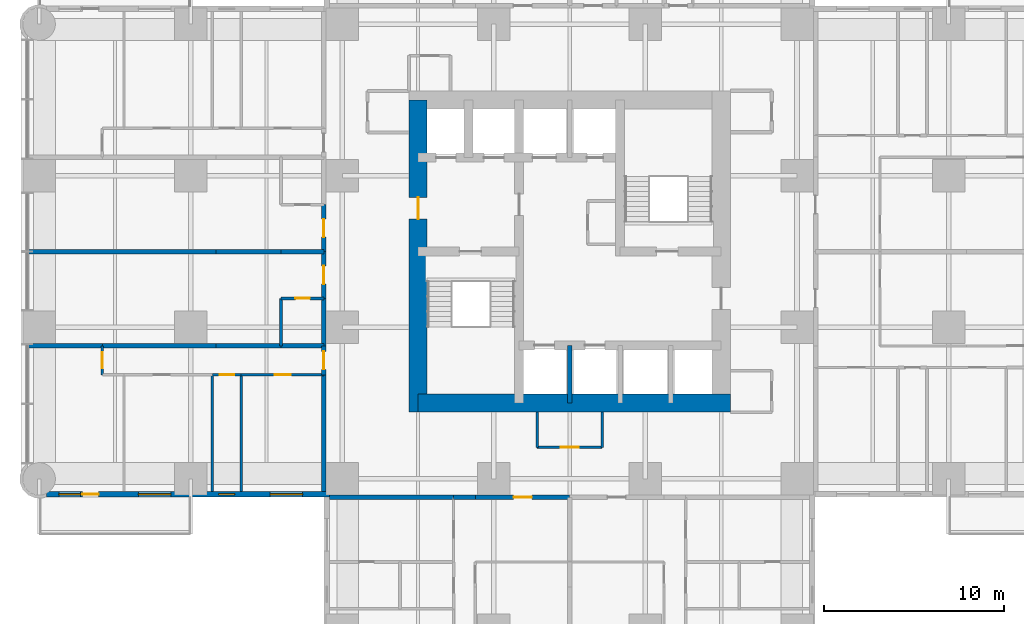
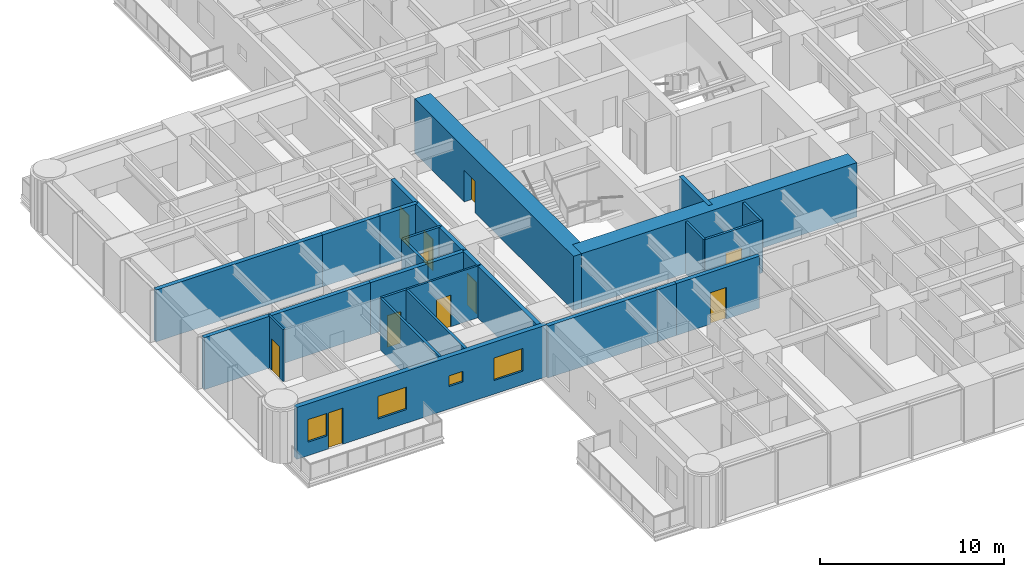
# One storey, part 8 of 17: 29 walls, 11 doors, 4 windows, 15 openings.
"""IFC4 building model written with IfcOpenShell, lengths in metres."""

import ifcopenshell
import ifcopenshell.guid

model = None  # the IFC model being written
_history = None  # IfcOwnerHistory: only IFC2X3 demands one
_inside = {}  # id of a spatial element -> (the spatial element, [elements in it])
_under = {}  # id of a project, library or spatial element -> (it, [spatial elements below it])
_declared = {}  # id of a project -> (the project, [libraries it declares])
_typed = {}  # id of a type object -> (the type object, [elements of that type])
_made_of = {}  # id of a material, layer set ... -> (it, [elements and type objects made of it])


def new_model(schema):
    """Start an empty IFC model of exactly this schema.

    Asked for "IFC4X3", IfcOpenShell would pick the latest addendum, in which some entities
    have other attributes; the version numbers below select the first issue.
    IFC2X3 requires an IfcOwnerHistory on every rooted entity: one is made here for all.
    """
    global model, _history
    if schema == "IFC4X3":
        model = ifcopenshell.file(schema_version=(4, 3, 0, 0))
    else:
        model = ifcopenshell.file(schema=schema)
    _inside.clear()
    _under.clear()
    _declared.clear()
    _typed.clear()
    _made_of.clear()
    _history = None
    if model.schema == "IFC2X3":
        org = make("IfcOrganization", Name="unknown")
        user = make(
            "IfcPersonAndOrganization",
            ThePerson=make("IfcPerson", FamilyName="unknown"),
            TheOrganization=org,
        )
        app = make(
            "IfcApplication",
            ApplicationDeveloper=org,
            Version="unknown",
            ApplicationFullName="unknown",
            ApplicationIdentifier="unknown",
        )
        _history = make(
            "IfcOwnerHistory",
            OwningUser=user,
            OwningApplication=app,
            ChangeAction="ADDED",
            CreationDate=0,
        )
    return model


def make(cls, **values):
    """One entity of the class cls with the attributes given. An attribute that is None is left unset."""
    return model.create_entity(
        cls, **{name: value for name, value in values.items() if value is not None}
    )


def rooted(cls, **values):
    """An entity with a GlobalId (a new one), such as an element, a storey or a relation."""
    return make(cls, GlobalId=ifcopenshell.guid.new(), OwnerHistory=_history, **values)


def si_unit(unit_type, name, prefix=None):
    """IfcSIUnit, for example si_unit("LENGTHUNIT", "METRE", prefix="MILLI")."""
    return make("IfcSIUnit", UnitType=unit_type, Prefix=prefix, Name=name)


def assignment(units):
    """IfcUnitAssignment: the units of a project."""
    return None if units is None else make("IfcUnitAssignment", Units=units)


def point(xyz):
    """IfcCartesianPoint."""
    return None if xyz is None else make("IfcCartesianPoint", Coordinates=xyz)


def direction(xyz):
    """IfcDirection."""
    return None if xyz is None else make("IfcDirection", DirectionRatios=xyz)


def frame(location, z_axis=None, x_axis=None):
    """IfcAxis2Placement3D, a coordinate frame: its origin and axes. An axis left out is left unset."""
    return make(
        "IfcAxis2Placement3D",
        Location=point(location),
        Axis=direction(z_axis),
        RefDirection=direction(x_axis),
    )


def frame_2d(location, x_axis=None):
    """IfcAxis2Placement2D, a coordinate frame in the plane: its origin and x axis."""
    return make(
        "IfcAxis2Placement2D", Location=point(location), RefDirection=direction(x_axis)
    )


def origin():
    """The frame at (0, 0, 0) with its axes left unset."""
    return frame((0.0, 0.0, 0.0))


def place(relative_to, where):
    """IfcLocalPlacement: puts the frame where relative to a parent placement (None: the world)."""
    return make(
        "IfcLocalPlacement", PlacementRelTo=relative_to, RelativePlacement=where
    )


def context(
    kind, dimensions, precision=None, world=None, true_north=None, identifier=None
):
    """IfcGeometricRepresentationContext, for example the 3D "Model" context."""
    return make(
        "IfcGeometricRepresentationContext",
        ContextIdentifier=identifier,
        ContextType=kind,
        CoordinateSpaceDimension=dimensions,
        Precision=precision,
        WorldCoordinateSystem=world,
        TrueNorth=true_north,
    )


def subcontext(parent, identifier, kind, view, scale=None):
    """IfcGeometricRepresentationSubContext, for example "Body" below "Model"."""
    return make(
        "IfcGeometricRepresentationSubContext",
        ContextIdentifier=identifier,
        ContextType=kind,
        ParentContext=parent,
        TargetScale=scale,
        TargetView=view,
    )


def project(units=None, contexts=None):
    """IfcProject with its units and contexts."""
    return rooted(
        "IfcProject",
        Name="project",
        RepresentationContexts=contexts,
        UnitsInContext=assignment(units),
    )


def spatial(cls, under=None, at=None, **own):
    """A site, building, storey or space (cls), placed at a placement, below another one or the project."""
    s = rooted(cls, ObjectPlacement=at, **own)
    if under is not None:
        _under.setdefault(under.id(), (under, []))[1].append(s)
    return s


def profile(cls, at=None, kind="AREA", **sizes):
    """A parametric profile (cls). Its sizes go by their IFC names, for example OverallWidth=200.0."""
    return make(cls, ProfileType=kind, Position=at, **sizes)


def rectangle(**sizes):
    """IfcRectangleProfileDef."""
    return profile("IfcRectangleProfileDef", **sizes)


def extrude(swept, where, along, depth):
    """IfcExtrudedAreaSolid: the profile swept, set in the frame where, extruded along a direction by depth."""
    return make(
        "IfcExtrudedAreaSolid",
        SweptArea=swept,
        Position=where,
        ExtrudedDirection=direction(along),
        Depth=depth,
    )


def shape(context_of_items, identifier, shape_type, items):
    """IfcShapeRepresentation: the items that make up one representation, for example the "Body"."""
    return make(
        "IfcShapeRepresentation",
        ContextOfItems=context_of_items,
        RepresentationIdentifier=identifier,
        RepresentationType=shape_type,
        Items=items,
    )


def material(Name=None, Category=None):
    """IfcMaterial."""
    return make("IfcMaterial", Name=Name, Category=Category)


def layer(
    of_material, thickness, ventilated=None, Name=None, Category=None, Priority=None
):
    """IfcMaterialLayer: one layer of a wall or slab, of a material (None: an air gap)."""
    return make(
        "IfcMaterialLayer",
        Material=of_material,
        LayerThickness=thickness,
        IsVentilated=ventilated,
        Name=Name,
        Category=Category,
        Priority=Priority,
    )


def layer_set(layers, Name=None):
    """IfcMaterialLayerSet."""
    return make("IfcMaterialLayerSet", MaterialLayers=layers, LayerSetName=Name)


def made_of(thing, what):
    """Note that an element or type object is made of a material, layer set ...; save() writes the relation."""
    if what is not None:
        _made_of.setdefault(what.id(), (what, []))[1].append(thing)
    return thing


def type_object(cls, material=None, **own):
    """A type object (cls), such as IfcWallType, which elements share."""
    return made_of(rooted(cls, **own), material)


def element(
    cls,
    number,
    at=None,
    inside=None,
    cuts=None,
    type_object=None,
    material=None,
    context=None,
    identifier="Body",
    shape_type=None,
    held_by="IfcProductDefinitionShape",
    body=None,
    shapes=None,
    **own,
):
    """One element of the class cls, such as IfcWall. Its Tag is "e" and its number.

    at: its placement. inside: the storey or other place that contains it. cuts: it is an
    opening in that element (IfcRelVoidsElement). A single representation is given by context,
    identifier, shape_type and body (its items); several are given by shapes. held_by: the class
    of the entity that holds the representations. save() writes the other relations.
    """
    e = rooted(cls, Tag="e%d" % number, ObjectPlacement=at, **own)
    if body is not None:
        shapes = [shape(context, identifier, shape_type, body)]
    if shapes is not None:
        e.Representation = make(held_by, Representations=shapes)
    if inside is not None:
        _inside.setdefault(inside.id(), (inside, []))[1].append(e)
    if cuts is not None:
        rooted(
            "IfcRelVoidsElement", RelatingBuildingElement=cuts, RelatedOpeningElement=e
        )
    if type_object is not None:
        _typed.setdefault(type_object.id(), (type_object, []))[1].append(e)
    return made_of(e, material)


def fill(opening, filler):
    """IfcRelFillsElement: the door or window that sits in an opening."""
    return rooted(
        "IfcRelFillsElement",
        RelatingOpeningElement=opening,
        RelatedBuildingElement=filler,
    )


def aggregate(whole, parts):
    """IfcRelAggregates: a whole, such as a stair, and the parts it consists of."""
    return rooted("IfcRelAggregates", RelatingObject=whole, RelatedObjects=parts)


def save(model, path):
    """Write the relations noted so far, then the file.

    IfcRelAggregates (storeys below a building ...), IfcRelContainedInSpatialStructure (elements
    in a storey), IfcRelDefinesByType, IfcRelAssociatesMaterial and IfcRelDeclares: one each for
    every whole, place, type object, material and project.
    """
    for whole, parts in _under.values():
        aggregate(whole, parts)
    for where, things in _inside.values():
        rooted(
            "IfcRelContainedInSpatialStructure",
            RelatedElements=things,
            RelatingStructure=where,
        )
    for kind, things in _typed.values():
        rooted("IfcRelDefinesByType", RelatedObjects=things, RelatingType=kind)
    for what, things in _made_of.values():
        rooted("IfcRelAssociatesMaterial", RelatedObjects=things, RelatingMaterial=what)
    for by, libraries in _declared.values():
        rooted("IfcRelDeclares", RelatingContext=by, RelatedDefinitions=libraries)
    model.write(path)


model = new_model("IFC4")

# Units and contexts
model_context = context("Model", 3, precision=1e-05, world=origin(), true_north=direction((0.0, 1.0)))
body_context = subcontext(model_context, "Body", "Model", "MODEL_VIEW")
ifc_project = project(units=[si_unit("LENGTHUNIT", "METRE"), si_unit("AREAUNIT", "SQUARE_METRE"), si_unit("VOLUMEUNIT", "CUBIC_METRE"), si_unit("PLANEANGLEUNIT", "RADIAN"), si_unit("MASSUNIT", "GRAM", prefix="KILO")], contexts=[model_context])

# Site, building, storey
site_placement = place(None, origin())
site = spatial("IfcSite", under=ifc_project, at=site_placement, CompositionType="ELEMENT")
building_placement = place(site_placement, origin())
building = spatial("IfcBuilding", under=site, at=building_placement, Name="Torre Alcanfor", CompositionType="ELEMENT")
storey_placement = place(building_placement, frame((0.0, 0.0, 66.89990234375)))
storey = spatial("IfcBuildingStorey", under=building, at=storey_placement, Name="L16", CompositionType="ELEMENT", Elevation=66.89990234375)

# Wall, opening, door
ifc_material_1 = material(Name="Concrete block masonry, hollow blocks NMX-C-404 9 MPa", Category="masonry")
ifc_layer_1 = layer(ifc_material_1, 0.25)
ifc_layer_set_1 = layer_set([ifc_layer_1], Name="Apartment entrance wall 250 EI 60")
wall_type_1 = type_object("IfcWallType", Name="Apartment entrance wall 250 EI 60", PredefinedType="PARTITIONING", material=ifc_layer_set_1)
wall_1_placement = place(storey_placement, frame((29.39990234375, 15.77490234375, 0.0), z_axis=(0.0, 0.0, 1.0), x_axis=(-1.0, 0.0, 0.0)))
wall_1 = element("IfcWall", 1, at=wall_1_placement, inside=storey, type_object=wall_type_1, Name="Partition L16-CORR / L16-S2-ZAG", PredefinedType="PARTITIONING", context=body_context, shape_type="SweptSolid", body=[
    extrude(rectangle(XDim=5.22900390625, YDim=0.25, at=frame_2d((2.614501953125, 0.0))), origin(), (0.0, 0.0, 1.0), 3.4501953125),
])
opening_1_placement = place(wall_1_placement, frame((2.10009765625, 0.0, 0.0)))
opening_1 = element("IfcOpeningElement", 2, at=opening_1_placement, cuts=wall_1, Name="Opening D-A1", PredefinedType="OPENING", context=body_context, shape_type="SweptSolid", body=[
    extrude(rectangle(XDim=1.0, YDim=2.10009765625, at=frame_2d((0.5, 1.050048828125))), frame((0.0, 0.135009765625, 0.0), z_axis=(0.0, -1.0, 0.0), x_axis=(1.0, 0.0, 0.0)), (0.0, 0.0, 1.0), 0.27001953125),
])
ifc_material_2 = material(Name="Galvanised steel sheet ASTM A653", Category="steel")
door_type_1 = type_object("IfcDoorType", Name="Apartment entrance door FD60 1000x2100", OperationType="SINGLE_SWING_LEFT", PredefinedType="DOOR", material=ifc_material_2)
door_1_placement = place(opening_1_placement, origin())
door_1 = element("IfcDoor", 3, at=door_1_placement, inside=storey, type_object=door_type_1, Name="Apartment entrance L16-S2", OperationType="SINGLE_SWING_LEFT", OverallHeight=2.10009765625, OverallWidth=1.0, PredefinedType="DOOR", context=body_context, shape_type="SweptSolid", body=[
    extrude(rectangle(XDim=1.0, YDim=2.10009765625, at=frame_2d((0.5, 1.050048828125))), frame((0.0, 0.02490234375, 0.0), z_axis=(0.0, -1.0, 0.0), x_axis=(1.0, 0.0, 0.0)), (0.0, 0.0, 1.0), 0.050048828125),
])
fill(opening_1, door_1)

# Walls
wall_2_placement = place(storey_placement, frame((24.1708984375, 15.77490234375, 0.0), z_axis=(0.0, 0.0, 1.0), x_axis=(-1.0, 0.0, 0.0)))
element("IfcWall", 4, at=wall_2_placement, inside=storey, type_object=wall_type_1, Name="Partition L16-CORR / L16-S2-HALL", PredefinedType="PARTITIONING", context=body_context, shape_type="SweptSolid", body=[
    extrude(rectangle(XDim=1.199951171875, YDim=0.25, at=frame_2d((0.60009765625, 0.0))), origin(), (0.0, 0.0, 1.0), 3.4501953125),
])
wall_3_placement = place(storey_placement, frame((22.970947265625, 15.77490234375, 0.0), z_axis=(0.0, 0.0, 1.0), x_axis=(-1.0, 0.0, 0.0)))
element("IfcWall", 5, at=wall_3_placement, inside=storey, type_object=wall_type_1, Name="Partition L16-CORR / L16-S2-SERV", PredefinedType="PARTITIONING", context=body_context, shape_type="SweptSolid", body=[
    extrude(rectangle(XDim=6.870849609375, YDim=0.25, at=frame_2d((3.435546875, 0.0))), origin(), (0.0, 0.0, 1.0), 3.4501953125),
])

# Wall, opening, door
wall_4_placement = place(storey_placement, frame((15.77490234375, 26.800048828125, 0.0), z_axis=(0.0, 0.0, 1.0), x_axis=(0.0, 1.0, 0.0)))
wall_4 = element("IfcWall", 6, at=wall_4_placement, inside=storey, type_object=wall_type_1, Name="Partition L16-CORR / L16-W1A-FOYER", PredefinedType="PARTITIONING", context=body_context, shape_type="SweptSolid", body=[
    extrude(rectangle(XDim=2.599853515625, YDim=0.25, at=frame_2d((1.2998046875, 0.0))), origin(), (0.0, 0.0, 1.0), 3.4501953125),
])
opening_2_placement = place(wall_4_placement, frame((0.800048828125, 0.0, 0.0)))
opening_2 = element("IfcOpeningElement", 7, at=opening_2_placement, cuts=wall_4, Name="Opening D-A1", PredefinedType="OPENING", context=body_context, shape_type="SweptSolid", body=[
    extrude(rectangle(XDim=1.0, YDim=2.10009765625, at=frame_2d((0.5, 1.050048828125))), frame((0.0, 0.135009765625, 0.0), z_axis=(0.0, -1.0, 0.0), x_axis=(1.0, 0.0, 0.0)), (0.0, 0.0, 1.0), 0.27001953125),
])
door_2_placement = place(opening_2_placement, origin())
door_2 = element("IfcDoor", 8, at=door_2_placement, inside=storey, type_object=door_type_1, Name="Apartment entrance L16-W1A", OperationType="SINGLE_SWING_LEFT", OverallHeight=2.10009765625, OverallWidth=1.0, PredefinedType="DOOR", context=body_context, shape_type="SweptSolid", body=[
    extrude(rectangle(XDim=1.0, YDim=2.10009765625, at=frame_2d((0.5, 1.050048828125))), frame((0.0, 0.02490234375, 0.0), z_axis=(0.0, -1.0, 0.0), x_axis=(1.0, 0.0, 0.0)), (0.0, 0.0, 1.0), 0.050048828125),
])
fill(opening_2, door_2)

# Wall
wall_5_placement = place(storey_placement, frame((15.77490234375, 24.1708984375, 0.0), z_axis=(0.0, 0.0, 1.0), x_axis=(0.0, 1.0, 0.0)))
element("IfcWall", 9, at=wall_5_placement, inside=storey, type_object=wall_type_1, Name="Partition L16-CORR / L16-W1A-BATH", PredefinedType="PARTITIONING", context=body_context, shape_type="SweptSolid", body=[
    extrude(rectangle(XDim=2.629150390625, YDim=0.25, at=frame_2d((1.314453125, 0.0))), origin(), (0.0, 0.0, 1.0), 3.4501953125),
])

# Wall, opening, door
wall_6_placement = place(storey_placement, frame((15.77490234375, 22.571044921875, 0.0), z_axis=(0.0, 0.0, 1.0), x_axis=(0.0, 1.0, 0.0)))
wall_6 = element("IfcWall", 10, at=wall_6_placement, inside=storey, type_object=wall_type_1, Name="Partition L16-CORR / L16-W1B-HALL", PredefinedType="PARTITIONING", context=body_context, shape_type="SweptSolid", body=[
    extrude(rectangle(XDim=1.599853515625, YDim=0.25, at=frame_2d((0.7998046875, 0.0))), origin(), (0.0, 0.0, 1.0), 3.4501953125),
])
opening_3_placement = place(wall_6_placement, frame((0.300048828125, 0.0, 0.0)))
opening_3 = element("IfcOpeningElement", 11, at=opening_3_placement, cuts=wall_6, Name="Opening D-A1", PredefinedType="OPENING", context=body_context, shape_type="SweptSolid", body=[
    extrude(rectangle(XDim=1.0, YDim=2.10009765625, at=frame_2d((0.5, 1.050048828125))), frame((0.0, 0.135009765625, 0.0), z_axis=(0.0, -1.0, 0.0), x_axis=(1.0, 0.0, 0.0)), (0.0, 0.0, 1.0), 0.27001953125),
])
door_3_placement = place(opening_3_placement, origin())
door_3 = element("IfcDoor", 12, at=door_3_placement, inside=storey, type_object=door_type_1, Name="Apartment entrance L16-W1B", OperationType="SINGLE_SWING_LEFT", OverallHeight=2.10009765625, OverallWidth=1.0, PredefinedType="DOOR", context=body_context, shape_type="SweptSolid", body=[
    extrude(rectangle(XDim=1.0, YDim=2.10009765625, at=frame_2d((0.5, 1.050048828125))), frame((0.0, 0.02490234375, 0.0), z_axis=(0.0, -1.0, 0.0), x_axis=(1.0, 0.0, 0.0)), (0.0, 0.0, 1.0), 0.050048828125),
])
fill(opening_3, door_3)

# Wall
wall_7_placement = place(storey_placement, frame((15.77490234375, 16.10009765625, 0.0), z_axis=(0.0, 0.0, 1.0), x_axis=(0.0, 1.0, 0.0)))
element("IfcWall", 13, at=wall_7_placement, inside=storey, type_object=wall_type_1, Name="Partition L16-CORR / L16-W1B-BED2", PredefinedType="PARTITIONING", context=body_context, shape_type="SweptSolid", body=[
    extrude(rectangle(XDim=6.470947265625, YDim=0.25, at=frame_2d((3.2353515625, 0.0))), origin(), (0.0, 0.0, 1.0), 3.4501953125),
])

# Wall, opening, door
wall_8_placement = place(storey_placement, frame((15.77490234375, 29.39990234375, 0.0), z_axis=(0.0, 0.0, 1.0), x_axis=(0.0, 1.0, 0.0)))
wall_8 = element("IfcWall", 14, at=wall_8_placement, inside=storey, type_object=wall_type_1, Name="Partition L16-CORR / L16-W2A-FOYER", PredefinedType="PARTITIONING", context=body_context, shape_type="SweptSolid", body=[
    extrude(rectangle(XDim=2.60009765625, YDim=0.25, at=frame_2d((1.300048828125, 0.0))), origin(), (0.0, 0.0, 1.0), 3.4501953125),
])
opening_4_placement = place(wall_8_placement, frame((0.800048828125, 0.0, 0.0)))
opening_4 = element("IfcOpeningElement", 15, at=opening_4_placement, cuts=wall_8, Name="Opening D-A1", PredefinedType="OPENING", context=body_context, shape_type="SweptSolid", body=[
    extrude(rectangle(XDim=1.0, YDim=2.10009765625, at=frame_2d((0.5, 1.050048828125))), frame((0.0, 0.135009765625, 0.0), z_axis=(0.0, -1.0, 0.0), x_axis=(1.0, 0.0, 0.0)), (0.0, 0.0, 1.0), 0.27001953125),
])
door_4_placement = place(opening_4_placement, origin())
door_4 = element("IfcDoor", 16, at=door_4_placement, inside=storey, type_object=door_type_1, Name="Apartment entrance L16-W2A", OperationType="SINGLE_SWING_LEFT", OverallHeight=2.10009765625, OverallWidth=1.0, PredefinedType="DOOR", context=body_context, shape_type="SweptSolid", body=[
    extrude(rectangle(XDim=1.0, YDim=2.10009765625, at=frame_2d((0.5, 1.050048828125))), frame((0.0, 0.02490234375, 0.0), z_axis=(0.0, -1.0, 0.0), x_axis=(1.0, 0.0, 0.0)), (0.0, 0.0, 1.0), 0.050048828125),
])
fill(opening_4, door_4)

ifc_material_3 = material(Name="Gypsum board on steel studs", Category="steel")
ifc_layer_2 = layer(ifc_material_3, 0.1201171875)
ifc_layer_set_2 = layer_set([ifc_layer_2], Name="Apartment partition 120")
wall_type_2 = type_object("IfcWallType", Name="Apartment partition 120", PredefinedType="PARTITIONING", material=ifc_layer_set_2)
wall_9_placement = place(storey_placement, frame((11.199951171875, 22.571044921875, 0.0), z_axis=(0.0, 0.0, 1.0), x_axis=(1.0, 0.0, 0.0)))
wall_9 = element("IfcWall", 17, at=wall_9_placement, inside=storey, type_object=wall_type_2, Name="Partition L16-W1B-HALL / L16-W1B-BED2", PredefinedType="PARTITIONING", context=body_context, shape_type="SweptSolid", body=[
    extrude(rectangle(XDim=4.574951171875, YDim=0.1201171875, at=frame_2d((2.28759765625, 0.0))), origin(), (0.0, 0.0, 1.0), 3.4501953125),
])
opening_5_placement = place(wall_9_placement, frame((1.85009765625, 0.0, 0.0)))
opening_5 = element("IfcOpeningElement", 18, at=opening_5_placement, cuts=wall_9, Name="Opening D-R1", PredefinedType="OPENING", context=body_context, shape_type="SweptSolid", body=[
    extrude(rectangle(XDim=0.89990234375, YDim=2.10009765625, at=frame_2d((0.449951171875, 1.050048828125))), frame((0.0, 0.070068359375, 0.0), z_axis=(0.0, -1.0, 0.0), x_axis=(1.0, 0.0, 0.0)), (0.0, 0.0, 1.0), 0.14013671875),
])
ifc_material_4 = material(Name="Timber", Category="wood")
door_type_2 = type_object("IfcDoorType", Name="Internal door 900x2100", OperationType="SINGLE_SWING_LEFT", PredefinedType="DOOR", material=ifc_material_4)
door_5_placement = place(opening_5_placement, frame((0.89990234375, 0.0, 0.0), z_axis=(0.0, 0.0, 1.0), x_axis=(-1.0, 0.0, 0.0)))
door_5 = element("IfcDoor", 19, at=door_5_placement, inside=storey, type_object=door_type_2, Name="Door L16-W1B bed2", OperationType="SINGLE_SWING_LEFT", OverallHeight=2.10009765625, OverallWidth=0.89990234375, PredefinedType="DOOR", context=body_context, shape_type="SweptSolid", body=[
    extrude(rectangle(XDim=0.89990234375, YDim=2.10009765625, at=frame_2d((0.449951171875, 1.050048828125))), frame((0.0, 0.025146484375, 0.0), z_axis=(0.0, -1.0, 0.0), x_axis=(1.0, 0.0, 0.0)), (0.0, 0.0, 1.0), 0.050048828125),
])
fill(opening_5, door_5)

wall_10_placement = place(storey_placement, frame((3.5, 24.1708984375, 0.0), z_axis=(0.0, 0.0, 1.0), x_axis=(0.0, -1.0, 0.0)))
wall_10 = element("IfcWall", 20, at=wall_10_placement, inside=storey, type_object=wall_type_2, Name="Partition L16-W1B-HALL / L16-W1B-LIVING", PredefinedType="PARTITIONING", context=body_context, shape_type="SweptSolid", body=[
    extrude(rectangle(XDim=1.599853515625, YDim=0.1201171875, at=frame_2d((0.7998046875, 0.0))), origin(), (0.0, 0.0, 1.0), 3.4501953125),
])
opening_6_placement = place(wall_10_placement, frame((0.35009765625, 0.0, 0.0)))
opening_6 = element("IfcOpeningElement", 21, at=opening_6_placement, cuts=wall_10, Name="Opening D-R1", PredefinedType="OPENING", context=body_context, shape_type="SweptSolid", body=[
    extrude(rectangle(XDim=0.89990234375, YDim=2.10009765625, at=frame_2d((0.449951171875, 1.050048828125))), frame((0.0, 0.070068359375, 0.0), z_axis=(0.0, -1.0, 0.0), x_axis=(1.0, 0.0, 0.0)), (0.0, 0.0, 1.0), 0.14013671875),
])
door_6_placement = place(opening_6_placement, frame((0.89990234375, 0.0, 0.0), z_axis=(0.0, 0.0, 1.0), x_axis=(-1.0, 0.0, 0.0)))
door_6 = element("IfcDoor", 22, at=door_6_placement, inside=storey, type_object=door_type_2, Name="Door L16-W1B living", OperationType="SINGLE_SWING_RIGHT", OverallHeight=2.10009765625, OverallWidth=0.89990234375, PredefinedType="DOOR", context=body_context, shape_type="SweptSolid", body=[
    extrude(rectangle(XDim=0.89990234375, YDim=2.10009765625, at=frame_2d((0.449951171875, 1.050048828125))), frame((0.0, 0.025146484375, 0.0), z_axis=(0.0, -1.0, 0.0), x_axis=(1.0, 0.0, 0.0)), (0.0, 0.0, 1.0), 0.050048828125),
])
fill(opening_6, door_6)

# Walls
ifc_material_5 = material(Name="Concrete f'c 70 MPa", Category="concrete")
ifc_layer_3 = layer(ifc_material_5, 0.25)
ifc_layer_set_3 = layer_set([ifc_layer_3], Name="Core shaft wall 250 f'c70")
wall_type_3 = type_object("IfcWallType", Name="Core shaft wall 250 f'c70", PredefinedType="SHEAR", material=ifc_layer_set_3)
wall_11_placement = place(storey_placement, frame((29.39990234375, 21.0, 0.0), z_axis=(0.0, 0.0, 1.0), x_axis=(0.0, 1.0, 0.0)))
element("IfcWall", 23, at=wall_11_placement, inside=storey, type_object=wall_type_3, Name="Core wall X294S L16", PredefinedType="SHEAR", context=body_context, shape_type="SweptSolid", body=[
    extrude(rectangle(XDim=3.199951171875, YDim=0.25, at=frame_2d((1.60009765625, 0.0))), origin(), (0.0, 0.0, 1.0), 3.60009765625),
])
ifc_material_6 = material(Name="Concrete f'c 70 MPa", Category="concrete")
ifc_layer_4 = layer(ifc_material_6, 1.0)
ifc_layer_set_4 = layer_set([ifc_layer_4], Name="Core wall 1000 f'c70")
wall_type_4 = type_object("IfcWallType", Name="Core wall 1000 f'c70", PredefinedType="SHEAR", material=ifc_layer_set_4)
wall_12_placement = place(storey_placement, frame((21.0, 21.0, 0.0), z_axis=(0.0, 0.0, 1.0), x_axis=(1.0, 0.0, 0.0)))
element("IfcWall", 24, at=wall_12_placement, inside=storey, type_object=wall_type_4, Name="Core wall OUT-S L16", PredefinedType="SHEAR", context=body_context, shape_type="SweptSolid", body=[
    extrude(rectangle(XDim=17.300048828125, YDim=1.0, at=frame_2d((8.64990234375, 0.0))), origin(), (0.0, 0.0, 1.0), 3.60009765625),
])

# Wall, opening, door
wall_13_placement = place(storey_placement, frame((21.0, 37.800048828125, 0.0), z_axis=(0.0, 0.0, 1.0), x_axis=(0.0, -1.0, 0.0)))
wall_13 = element("IfcWall", 25, at=wall_13_placement, inside=storey, type_object=wall_type_4, Name="Core wall OUT-W L16", PredefinedType="SHEAR", context=body_context, shape_type="SweptSolid", body=[
    extrude(rectangle(XDim=17.300048828125, YDim=1.0, at=frame_2d((8.64990234375, 0.0))), origin(), (0.0, 0.0, 1.0), 3.60009765625),
])
opening_7_placement = place(wall_13_placement, frame((5.39990234375, 0.0, 0.0)))
opening_7 = element("IfcOpeningElement", 26, at=opening_7_placement, cuts=wall_13, Name="Opening D-L1", PredefinedType="OPENING", context=body_context, shape_type="SweptSolid", body=[
    extrude(rectangle(XDim=1.199951171875, YDim=2.10009765625, at=frame_2d((0.60009765625, 1.050048828125))), frame((0.0, 0.510009765625, 0.0), z_axis=(0.0, -1.0, 0.0), x_axis=(1.0, 0.0, 0.0)), (0.0, 0.0, 1.0), 1.02001953125),
])
ifc_material_7 = material(Name="Galvanised steel sheet ASTM A653", Category="steel")
door_type_3 = type_object("IfcDoorType", Name="Lobby door FD120 1200x2100", OperationType="SINGLE_SWING_LEFT", PredefinedType="DOOR", material=ifc_material_7)
door_7_placement = place(opening_7_placement, origin())
door_7 = element("IfcDoor", 27, at=door_7_placement, inside=storey, type_object=door_type_3, Name="Firefighting lobby door L16", OperationType="SINGLE_SWING_LEFT", OverallHeight=2.10009765625, OverallWidth=1.199951171875, PredefinedType="DOOR", context=body_context, shape_type="SweptSolid", body=[
    extrude(rectangle(XDim=1.199951171875, YDim=2.10009765625, at=frame_2d((0.60009765625, 1.050048828125))), frame((0.0, 0.02490234375, 0.0), z_axis=(0.0, -1.0, 0.0), x_axis=(1.0, 0.0, 0.0)), (0.0, 0.0, 1.0), 0.050048828125),
])
fill(opening_7, door_7)

# Wall, openings, door, windows
ifc_material_8 = material(Name="Limestone cladding", Category="masonry")
ifc_layer_5 = layer(ifc_material_8, 0.0400390625, Name="Facing")
ifc_material_9 = material(Name="Ventilated air cavity")
ifc_layer_6 = layer(ifc_material_9, 0.02001953125, ventilated=True, Name="Ventilated joint")
ifc_material_10 = material(Name="Mineral wool insulation", Category="insulation")
ifc_layer_7 = layer(ifc_material_10, 0.10009765625, Name="Insulation")
ifc_material_11 = material(Name="Concrete f'c 35 MPa", Category="concrete")
ifc_layer_8 = layer(ifc_material_11, 0.139892578125, Name="Backing")
ifc_layer_set_5 = layer_set([ifc_layer_5, ifc_layer_6, ifc_layer_7, ifc_layer_8], Name="External wall stone-clad 300")
wall_type_5 = type_object("IfcWallType", Name="External wall stone-clad 300", PredefinedType="SOLIDWALL", material=ifc_layer_set_5)
wall_14_placement = place(storey_placement, frame((0.39990234375, 15.949951171875, 0.0), z_axis=(0.0, 0.0, 1.0), x_axis=(1.0, 0.0, 0.0)))
wall_14 = element("IfcWall", 28, at=wall_14_placement, inside=storey, type_object=wall_type_5, Name="External wall L16 3", PredefinedType="SOLIDWALL", context=body_context, shape_type="SweptSolid", body=[
    extrude(rectangle(XDim=15.7001953125, YDim=0.300048828125, at=frame_2d((7.85009765625, 0.0))), origin(), (0.0, 0.0, 1.0), 3.4501953125),
])
opening_8_placement = place(wall_14_placement, frame((12.39990234375, 0.0, 0.89990234375)))
opening_8 = element("IfcOpeningElement", 29, at=opening_8_placement, cuts=wall_14, Name="Opening W2", PredefinedType="OPENING", context=body_context, shape_type="SweptSolid", body=[
    extrude(rectangle(XDim=1.800048828125, YDim=1.5, at=frame_2d((0.89990234375, 0.75))), frame((0.0, 0.159912109375, 0.0), z_axis=(0.0, -1.0, 0.0), x_axis=(1.0, 0.0, 0.0)), (0.0, 0.0, 1.0), 0.320068359375),
])
opening_9_placement = place(wall_14_placement, frame((9.550048828125, 0.0, 1.5)))
opening_9 = element("IfcOpeningElement", 30, at=opening_9_placement, cuts=wall_14, Name="Opening W3", PredefinedType="OPENING", context=body_context, shape_type="SweptSolid", body=[
    extrude(rectangle(XDim=0.89990234375, YDim=0.699951171875, at=frame_2d((0.449951171875, 0.35009765625))), frame((0.0, 0.159912109375, 0.0), z_axis=(0.0, -1.0, 0.0), x_axis=(1.0, 0.0, 0.0)), (0.0, 0.0, 1.0), 0.320068359375),
])
opening_10_placement = place(wall_14_placement, frame((5.10009765625, 0.0, 0.89990234375)))
opening_10 = element("IfcOpeningElement", 31, at=opening_10_placement, cuts=wall_14, Name="Opening W2", PredefinedType="OPENING", context=body_context, shape_type="SweptSolid", body=[
    extrude(rectangle(XDim=1.800048828125, YDim=1.5, at=frame_2d((0.89990234375, 0.75))), frame((0.0, 0.159912109375, 0.0), z_axis=(0.0, -1.0, 0.0), x_axis=(1.0, 0.0, 0.0)), (0.0, 0.0, 1.0), 0.320068359375),
])
opening_11_placement = place(wall_14_placement, frame((2.0, 0.0, 0.0)))
opening_11 = element("IfcOpeningElement", 32, at=opening_11_placement, cuts=wall_14, Name="Opening D-B1", PredefinedType="OPENING", context=body_context, shape_type="SweptSolid", body=[
    extrude(rectangle(XDim=0.89990234375, YDim=2.39990234375, at=frame_2d((0.449951171875, 1.199951171875))), frame((0.0, 0.159912109375, 0.0), z_axis=(0.0, -1.0, 0.0), x_axis=(1.0, 0.0, 0.0)), (0.0, 0.0, 1.0), 0.320068359375),
])
opening_12_placement = place(wall_14_placement, frame((0.699951171875, 0.0, 0.89990234375)))
opening_12 = element("IfcOpeningElement", 33, at=opening_12_placement, cuts=wall_14, Name="Opening W4", PredefinedType="OPENING", context=body_context, shape_type="SweptSolid", body=[
    extrude(rectangle(XDim=1.199951171875, YDim=1.5, at=frame_2d((0.60009765625, 0.75))), frame((0.0, 0.159912109375, 0.0), z_axis=(0.0, -1.0, 0.0), x_axis=(1.0, 0.0, 0.0)), (0.0, 0.0, 1.0), 0.320068359375),
])
ifc_material_12 = material(Name="Aluminium and glass", Category="aluminium")
door_type_4 = type_object("IfcDoorType", Name="Balcony door glazed 900x2400", OperationType="SINGLE_SWING_LEFT", PredefinedType="DOOR", material=ifc_material_12)
door_8_placement = place(opening_11_placement, origin())
door_8 = element("IfcDoor", 34, at=door_8_placement, inside=storey, type_object=door_type_4, Name="Balcony door L16-W1", OperationType="SINGLE_SWING_RIGHT", OverallHeight=2.39990234375, OverallWidth=0.89990234375, PredefinedType="DOOR", context=body_context, shape_type="SweptSolid", body=[
    extrude(rectangle(XDim=0.89990234375, YDim=2.39990234375, at=frame_2d((0.449951171875, 1.199951171875))), frame((0.0, 0.02490234375, 0.0), z_axis=(0.0, -1.0, 0.0), x_axis=(1.0, 0.0, 0.0)), (0.0, 0.0, 1.0), 0.050048828125),
])
fill(opening_11, door_8)
ifc_material_13 = material(Name="Aluminium frame with clear double glazing", Category="aluminium")
window_type_1 = type_object("IfcWindowType", Name="Window bathroom 900x700", PartitioningType="SINGLE_PANEL", PredefinedType="WINDOW", material=ifc_material_13)
window_1_placement = place(opening_9_placement, origin())
window_1 = element("IfcWindow", 35, at=window_1_placement, inside=storey, type_object=window_type_1, Name="Window W3 L16-W1", OverallHeight=0.699951171875, OverallWidth=0.89990234375, PartitioningType="SINGLE_PANEL", PredefinedType="WINDOW", context=body_context, shape_type="SweptSolid", body=[
    extrude(rectangle(XDim=0.89990234375, YDim=0.699951171875, at=frame_2d((0.449951171875, 0.35009765625))), frame((0.0, 0.030029296875, 0.0), z_axis=(0.0, -1.0, 0.0), x_axis=(1.0, 0.0, 0.0)), (0.0, 0.0, 1.0), 0.06005859375),
])
fill(opening_9, window_1)
ifc_material_14 = material(Name="Aluminium frame with clear double glazing", Category="aluminium")
window_type_2 = type_object("IfcWindowType", Name="Window bedroom 1200x1500", PartitioningType="SINGLE_PANEL", PredefinedType="WINDOW", material=ifc_material_14)
window_2_placement = place(opening_12_placement, origin())
window_2 = element("IfcWindow", 36, at=window_2_placement, inside=storey, type_object=window_type_2, Name="Window W4 L16-W1", OverallHeight=1.5, OverallWidth=1.199951171875, PartitioningType="SINGLE_PANEL", PredefinedType="WINDOW", context=body_context, shape_type="SweptSolid", body=[
    extrude(rectangle(XDim=1.199951171875, YDim=1.5, at=frame_2d((0.60009765625, 0.75))), frame((0.0, 0.030029296875, 0.0), z_axis=(0.0, -1.0, 0.0), x_axis=(1.0, 0.0, 0.0)), (0.0, 0.0, 1.0), 0.06005859375),
])
fill(opening_12, window_2)
ifc_material_15 = material(Name="Aluminium frame with clear double glazing", Category="aluminium")
window_type_3 = type_object("IfcWindowType", Name="Window bedroom 1800x1500", PartitioningType="SINGLE_PANEL", PredefinedType="WINDOW", material=ifc_material_15)
window_3_placement = place(opening_8_placement, origin())
window_3 = element("IfcWindow", 37, at=window_3_placement, inside=storey, type_object=window_type_3, Name="Window W2 L16-W1", OverallHeight=1.5, OverallWidth=1.800048828125, PartitioningType="SINGLE_PANEL", PredefinedType="WINDOW", context=body_context, shape_type="SweptSolid", body=[
    extrude(rectangle(XDim=1.800048828125, YDim=1.5, at=frame_2d((0.89990234375, 0.75))), frame((0.0, 0.030029296875, 0.0), z_axis=(0.0, -1.0, 0.0), x_axis=(1.0, 0.0, 0.0)), (0.0, 0.0, 1.0), 0.06005859375),
])
fill(opening_8, window_3)
window_4_placement = place(opening_10_placement, origin())
window_4 = element("IfcWindow", 38, at=window_4_placement, inside=storey, type_object=window_type_3, Name="Window W2 L16-W1", OverallHeight=1.5, OverallWidth=1.800048828125, PartitioningType="SINGLE_PANEL", PredefinedType="WINDOW", context=body_context, shape_type="SweptSolid", body=[
    extrude(rectangle(XDim=1.800048828125, YDim=1.5, at=frame_2d((0.89990234375, 0.75))), frame((0.0, 0.030029296875, 0.0), z_axis=(0.0, -1.0, 0.0), x_axis=(1.0, 0.0, 0.0)), (0.0, 0.0, 1.0), 0.06005859375),
])
fill(opening_10, window_4)

# Walls
ifc_material_16 = material(Name="Concrete block masonry, hollow blocks NMX-C-404 9 MPa", Category="masonry")
ifc_layer_9 = layer(ifc_material_16, 0.25)
ifc_layer_set_6 = layer_set([ifc_layer_9], Name="Party wall 250 EI 60")
wall_type_6 = type_object("IfcWallType", Name="Party wall 250 EI 60", PredefinedType="PARTITIONING", material=ifc_layer_set_6)
for number, where, z_axis, x_axis, name in (
    (39, (15.77490234375, 29.39990234375, 0.0), (0.0, 0.0, 1.0), (-1.0, 0.0, 0.0), "Partition L16-W1A-FOYER / L16-W2A-FOYER"),
    (40, (13.39990234375, 24.1708984375, 0.0), (0.0, 0.0, 1.0), (1.0, 0.0, 0.0), "Partition L16-W1A-BATH / L16-W1B-HALL"),
):
    element("IfcWall", number, at=place(storey_placement, frame(where, z_axis=z_axis, x_axis=x_axis)), inside=storey, type_object=wall_type_6, Name=name, PredefinedType="PARTITIONING", context=body_context, shape_type="SweptSolid", body=[
        extrude(rectangle(XDim=2.375, YDim=0.25, at=frame_2d((1.1875, 0.0))), origin(), (0.0, 0.0, 1.0), 3.4501953125),
    ])
for number, where, z_axis, x_axis, name in (
    (41, (9.800048828125, 24.1708984375, 0.0), (0.0, 0.0, 1.0), (1.0, 0.0, 0.0), "Partition L16-W1A-KITCHEN / L16-W1B-HALL"),
    (42, (13.39990234375, 29.39990234375, 0.0), (0.0, 0.0, 1.0), (-1.0, 0.0, 0.0), "Partition L16-W1A-KITCHEN / L16-W2A-KITCHEN"),
):
    element("IfcWall", number, at=place(storey_placement, frame(where, z_axis=z_axis, x_axis=x_axis)), inside=storey, type_object=wall_type_6, Name=name, PredefinedType="PARTITIONING", context=body_context, shape_type="SweptSolid", body=[
        extrude(rectangle(XDim=3.599853515625, YDim=0.25, at=frame_2d((1.7998046875, 0.0))), origin(), (0.0, 0.0, 1.0), 3.4501953125),
    ])
wall_15_placement = place(storey_placement, frame((3.5, 24.1708984375, 0.0), z_axis=(0.0, 0.0, 1.0), x_axis=(1.0, 0.0, 0.0)))
element("IfcWall", 43, at=wall_15_placement, inside=storey, type_object=wall_type_6, Name="Partition L16-W1A-STUDIO / L16-W1B-HALL", PredefinedType="PARTITIONING", context=body_context, shape_type="SweptSolid", body=[
    extrude(rectangle(XDim=6.300048828125, YDim=0.25, at=frame_2d((3.14990234375, 0.0))), origin(), (0.0, 0.0, 1.0), 3.4501953125),
])
wall_16_placement = place(storey_placement, frame((-0.64990234375, 24.1708984375, 0.0), z_axis=(0.0, 0.0, 1.0), x_axis=(1.0, 0.0, 0.0)))
element("IfcWall", 44, at=wall_16_placement, inside=storey, type_object=wall_type_6, Name="Partition L16-W1A-STUDIO / L16-W1B-LIVING", PredefinedType="PARTITIONING", context=body_context, shape_type="SweptSolid", body=[
    extrude(rectangle(XDim=4.14990234375, YDim=0.25, at=frame_2d((2.074951171875, 0.0))), origin(), (0.0, 0.0, 1.0), 3.4501953125),
])
wall_17_placement = place(storey_placement, frame((9.800048828125, 29.39990234375, 0.0), z_axis=(0.0, 0.0, 1.0), x_axis=(-1.0, 0.0, 0.0)))
element("IfcWall", 45, at=wall_17_placement, inside=storey, type_object=wall_type_6, Name="Partition L16-W1A-STUDIO / L16-W2A-STUDIO", PredefinedType="PARTITIONING", context=body_context, shape_type="SweptSolid", body=[
    extrude(rectangle(XDim=10.449951171875, YDim=0.25, at=frame_2d((5.22509765625, 0.0))), origin(), (0.0, 0.0, 1.0), 3.4501953125),
])
ifc_material_17 = material(Name="Concrete block masonry, hollow blocks NMX-C-404 9 MPa", Category="masonry")
ifc_layer_10 = layer(ifc_material_17, 0.14990234375)
ifc_layer_set_7 = layer_set([ifc_layer_10], Name="Residents' room partition 150")
wall_type_7 = type_object("IfcWallType", Name="Residents' room partition 150", PredefinedType="PARTITIONING", material=ifc_layer_set_7)
wall_18_placement = place(storey_placement, frame((27.60009765625, 20.5, 0.0), z_axis=(0.0, 0.0, 1.0), x_axis=(0.0, -1.0, 0.0)))
element("IfcWall", 46, at=wall_18_placement, inside=storey, type_object=wall_type_7, Name="Partition L16-CORR / L16-G04", PredefinedType="PARTITIONING", context=body_context, shape_type="SweptSolid", body=[
    extrude(rectangle(XDim=1.949951171875, YDim=0.14990234375, at=frame_2d((0.97509765625, 0.0))), origin(), (0.0, 0.0, 1.0), 3.4501953125),
])

# Wall, opening, door
wall_19_placement = place(storey_placement, frame((27.60009765625, 18.550048828125, 0.0), z_axis=(0.0, 0.0, 1.0), x_axis=(1.0, 0.0, 0.0)))
wall_19 = element("IfcWall", 47, at=wall_19_placement, inside=storey, type_object=wall_type_7, Name="Partition L16-CORR / L16-G04", PredefinedType="PARTITIONING", context=body_context, shape_type="SweptSolid", body=[
    extrude(rectangle(XDim=3.599853515625, YDim=0.14990234375, at=frame_2d((1.7998046875, 0.0))), origin(), (0.0, 0.0, 1.0), 3.4501953125),
])
opening_13_placement = place(wall_19_placement, frame((1.300048828125, 0.0, 0.0)))
opening_13 = element("IfcOpeningElement", 48, at=opening_13_placement, cuts=wall_19, Name="Opening D-M1", PredefinedType="OPENING", context=body_context, shape_type="SweptSolid", body=[
    extrude(rectangle(XDim=1.0, YDim=2.10009765625, at=frame_2d((0.5, 1.050048828125))), frame((0.0, 0.0849609375, 0.0), z_axis=(0.0, -1.0, 0.0), x_axis=(1.0, 0.0, 0.0)), (0.0, 0.0, 1.0), 0.169921875),
])
ifc_material_18 = material(Name="Timber", Category="wood")
door_type_5 = type_object("IfcDoorType", Name="Residents' room door 1000x2100", OperationType="SINGLE_SWING_LEFT", PredefinedType="DOOR", material=ifc_material_18)
door_9_placement = place(opening_13_placement, origin())
door_9 = element("IfcDoor", 49, at=door_9_placement, inside=storey, type_object=door_type_5, Name="Door L16-G04 parcel room", OperationType="SINGLE_SWING_LEFT", OverallHeight=2.10009765625, OverallWidth=1.0, PredefinedType="DOOR", context=body_context, shape_type="SweptSolid", body=[
    extrude(rectangle(XDim=1.0, YDim=2.10009765625, at=frame_2d((0.5, 1.050048828125))), frame((0.0, 0.02490234375, 0.0), z_axis=(0.0, -1.0, 0.0), x_axis=(1.0, 0.0, 0.0)), (0.0, 0.0, 1.0), 0.050048828125),
])
fill(opening_13, door_9)

# Wall
wall_20_placement = place(storey_placement, frame((31.199951171875, 18.550048828125, 0.0), z_axis=(0.0, 0.0, 1.0), x_axis=(0.0, 1.0, 0.0)))
element("IfcWall", 50, at=wall_20_placement, inside=storey, type_object=wall_type_7, Name="Partition L16-CORR / L16-G04", PredefinedType="PARTITIONING", context=body_context, shape_type="SweptSolid", body=[
    extrude(rectangle(XDim=1.949951171875, YDim=0.14990234375, at=frame_2d((0.97509765625, 0.0))), origin(), (0.0, 0.0, 1.0), 3.4501953125),
])

# Wall, opening, door
ifc_material_19 = material(Name="Cement board on steel studs", Category="steel")
ifc_layer_11 = layer(ifc_material_19, 0.14990234375)
ifc_layer_set_8 = layer_set([ifc_layer_11], Name="Wet area partition 150")
wall_type_8 = type_object("IfcWallType", Name="Wet area partition 150", PredefinedType="PARTITIONING", material=ifc_layer_set_8)
wall_21_placement = place(storey_placement, frame((13.39990234375, 26.800048828125, 0.0), z_axis=(0.0, 0.0, 1.0), x_axis=(1.0, 0.0, 0.0)))
wall_21 = element("IfcWall", 51, at=wall_21_placement, inside=storey, type_object=wall_type_8, Name="Partition L16-W1A-FOYER / L16-W1A-BATH", PredefinedType="PARTITIONING", context=body_context, shape_type="SweptSolid", body=[
    extrude(rectangle(XDim=2.375, YDim=0.14990234375, at=frame_2d((1.1875, 0.0))), origin(), (0.0, 0.0, 1.0), 3.4501953125),
])
opening_14_placement = place(wall_21_placement, frame((0.800048828125, 0.0, 0.0)))
opening_14 = element("IfcOpeningElement", 52, at=opening_14_placement, cuts=wall_21, Name="Opening D-R2", PredefinedType="OPENING", context=body_context, shape_type="SweptSolid", body=[
    extrude(rectangle(XDim=0.800048828125, YDim=2.10009765625, at=frame_2d((0.39990234375, 1.050048828125))), frame((0.0, 0.0849609375, 0.0), z_axis=(0.0, -1.0, 0.0), x_axis=(1.0, 0.0, 0.0)), (0.0, 0.0, 1.0), 0.169921875),
])
ifc_material_20 = material(Name="Timber", Category="wood")
door_type_6 = type_object("IfcDoorType", Name="Bathroom door 800x2100", OperationType="SINGLE_SWING_LEFT", PredefinedType="DOOR", material=ifc_material_20)
door_10_placement = place(opening_14_placement, frame((0.800048828125, 0.0, 0.0), z_axis=(0.0, 0.0, 1.0), x_axis=(-1.0, 0.0, 0.0)))
door_10 = element("IfcDoor", 53, at=door_10_placement, inside=storey, type_object=door_type_6, Name="Door L16-W1A bath", OperationType="SINGLE_SWING_LEFT", OverallHeight=2.10009765625, OverallWidth=0.800048828125, PredefinedType="DOOR", context=body_context, shape_type="SweptSolid", body=[
    extrude(rectangle(XDim=0.800048828125, YDim=2.10009765625, at=frame_2d((0.400146484375, 1.050048828125))), frame((0.0, 0.025146484375, 0.0), z_axis=(0.0, -1.0, 0.0), x_axis=(1.0, 0.0, 0.0)), (0.0, 0.0, 1.0), 0.050048828125),
])
fill(opening_14, door_10)

# Wall
wall_22_placement = place(storey_placement, frame((13.39990234375, 26.800048828125, 0.0), z_axis=(0.0, 0.0, 1.0), x_axis=(0.0, -1.0, 0.0)))
element("IfcWall", 54, at=wall_22_placement, inside=storey, type_object=wall_type_8, Name="Partition L16-W1A-BATH / L16-W1A-KITCHEN", PredefinedType="PARTITIONING", context=body_context, shape_type="SweptSolid", body=[
    extrude(rectangle(XDim=2.629150390625, YDim=0.14990234375, at=frame_2d((1.314453125, 0.0))), origin(), (0.0, 0.0, 1.0), 3.4501953125),
])

# Wall, opening, door
wall_23_placement = place(storey_placement, frame((9.60009765625, 22.571044921875, 0.0), z_axis=(0.0, 0.0, 1.0), x_axis=(1.0, 0.0, 0.0)))
wall_23 = element("IfcWall", 55, at=wall_23_placement, inside=storey, type_object=wall_type_8, Name="Partition L16-W1B-HALL / L16-W1B-BATH", PredefinedType="PARTITIONING", context=body_context, shape_type="SweptSolid", body=[
    extrude(rectangle(XDim=1.599853515625, YDim=0.14990234375, at=frame_2d((0.7998046875, 0.0))), origin(), (0.0, 0.0, 1.0), 3.4501953125),
])
opening_15_placement = place(wall_23_placement, frame((0.39990234375, 0.0, 0.0)))
opening_15 = element("IfcOpeningElement", 56, at=opening_15_placement, cuts=wall_23, Name="Opening D-R2", PredefinedType="OPENING", context=body_context, shape_type="SweptSolid", body=[
    extrude(rectangle(XDim=0.800048828125, YDim=2.10009765625, at=frame_2d((0.39990234375, 1.050048828125))), frame((0.0, 0.0849609375, 0.0), z_axis=(0.0, -1.0, 0.0), x_axis=(1.0, 0.0, 0.0)), (0.0, 0.0, 1.0), 0.169921875),
])
door_11_placement = place(opening_15_placement, frame((0.800048828125, 0.0, 0.0), z_axis=(0.0, 0.0, 1.0), x_axis=(-1.0, 0.0, 0.0)))
door_11 = element("IfcDoor", 57, at=door_11_placement, inside=storey, type_object=door_type_6, Name="Door L16-W1B bath", OperationType="SINGLE_SWING_RIGHT", OverallHeight=2.10009765625, OverallWidth=0.800048828125, PredefinedType="DOOR", context=body_context, shape_type="SweptSolid", body=[
    extrude(rectangle(XDim=0.800048828125, YDim=2.10009765625, at=frame_2d((0.400146484375, 1.050048828125))), frame((0.0, 0.025146484375, 0.0), z_axis=(0.0, -1.0, 0.0), x_axis=(1.0, 0.0, 0.0)), (0.0, 0.0, 1.0), 0.050048828125),
])
fill(opening_15, door_11)

# Walls
for number, where, z_axis, x_axis, name in (
    (58, (11.199951171875, 22.571044921875, 0.0), (0.0, 0.0, 1.0), (0.0, -1.0, 0.0), "Partition L16-W1B-BED2 / L16-W1B-BATH"),
    (59, (9.60009765625, 22.571044921875, 0.0), (0.0, 0.0, 1.0), (0.0, -1.0, 0.0), "Partition L16-W1B-BATH / L16-W1B-MASTER"),
):
    element("IfcWall", number, at=place(storey_placement, frame(where, z_axis=z_axis, x_axis=x_axis)), inside=storey, type_object=wall_type_8, Name=name, PredefinedType="PARTITIONING", context=body_context, shape_type="SweptSolid", body=[
        extrude(rectangle(XDim=6.470947265625, YDim=0.14990234375, at=frame_2d((3.2353515625, 0.0))), origin(), (0.0, 0.0, 1.0), 3.4501953125),
    ])

save(model, "model.ifc")
